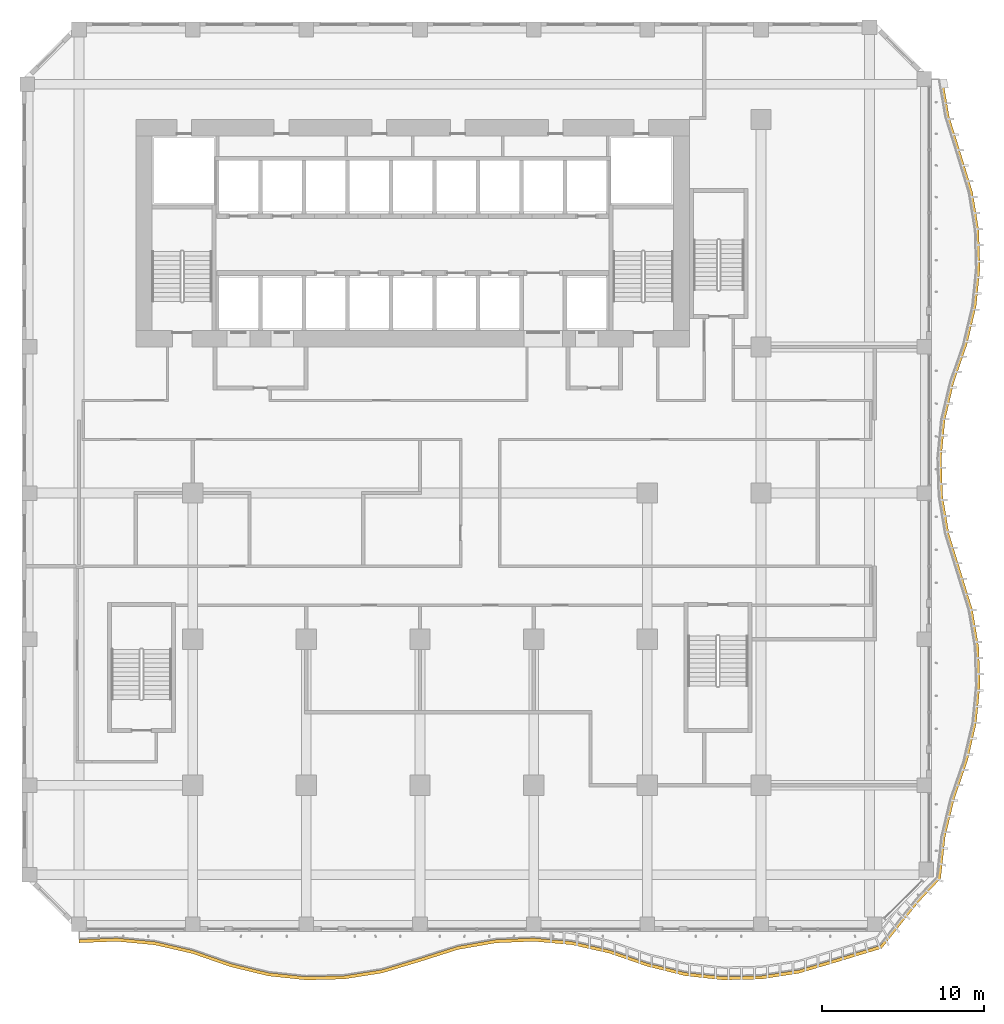
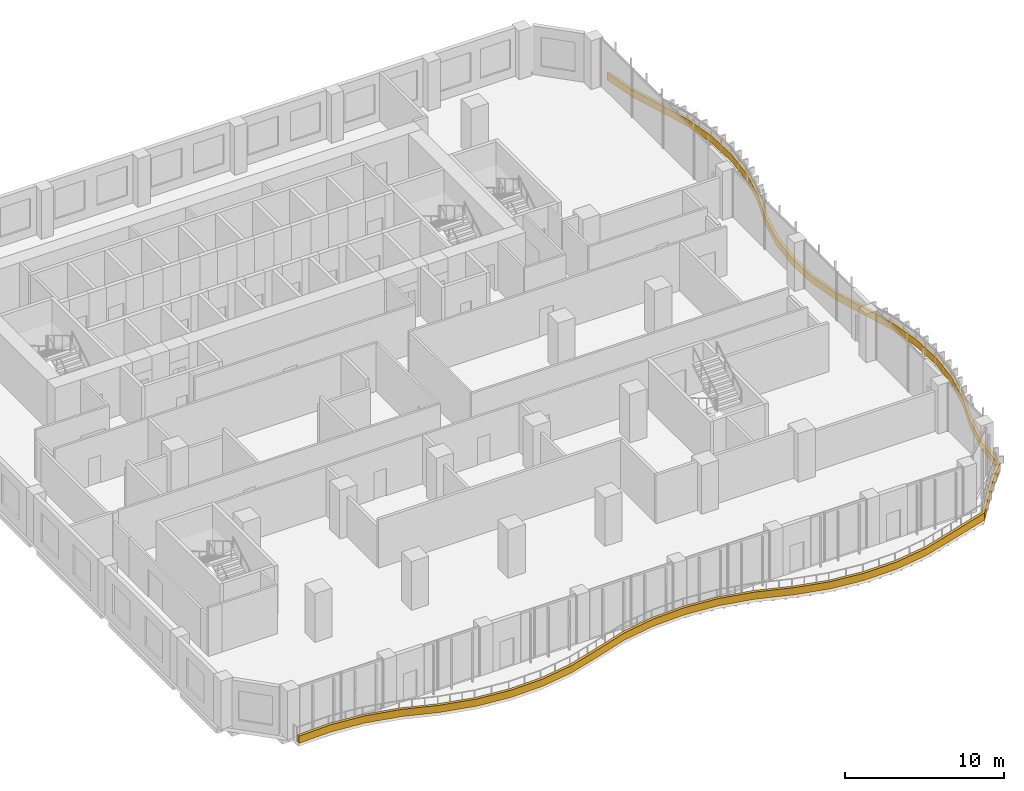
# One storey, part 19 of 25: 1 shading device.
"""IFC4 building model written with IfcOpenShell, lengths in metres."""

from ifc_helpers import new_model, si_unit, direction, frame, origin, place, context, subcontext, project, spatial, polyline, outline, extrude, source, transform, mapped, material, layer, layer_set, type_object, element, save


model = new_model("IFC4")

# Units and contexts
model_context = context("Model", 3, precision=1e-05, world=origin(), true_north=direction((0.0, 1.0)))
body_context = subcontext(model_context, "Body", "Model", "MODEL_VIEW")
ifc_project = project(units=[si_unit("LENGTHUNIT", "METRE"), si_unit("AREAUNIT", "SQUARE_METRE"), si_unit("VOLUMEUNIT", "CUBIC_METRE"), si_unit("PLANEANGLEUNIT", "RADIAN"), si_unit("MASSUNIT", "GRAM", prefix="KILO")], contexts=[model_context])

# Site, building, storey
site_placement = place(None, origin())
site = spatial("IfcSite", under=ifc_project, at=site_placement, CompositionType="ELEMENT")
building_placement = place(site_placement, origin())
building = spatial("IfcBuilding", under=site, at=building_placement, Name="Kilnfold Tower and Market Hall", CompositionType="ELEMENT")
storey_placement = place(building_placement, frame((0.0, 0.0, 67.199951171875)))
storey = spatial("IfcBuildingStorey", under=building, at=storey_placement, Name="L15", CompositionType="ELEMENT", Elevation=67.199951171875)

# Shading device
ifc_material = material(Name="Precast concrete C50/60", Category="concrete")
ifc_layer = layer(ifc_material, 0.550048828125)
ifc_layer_set = layer_set([ifc_layer], Name="Precast concrete C50/60")
shading_device_type = type_object("IfcShadingDeviceType", Name="BALCONY UPSTAND 550", PredefinedType="USERDEFINED", material=ifc_layer_set)
shared_shape = source(origin(), body_context, "Body", "SweptSolid", [
    extrude(outline(polyline([(-19.5, -28.69482421875), (-17.166748046875, -28.60693359375), (-14.833251953125, -28.825439453125), (-12.5, -29.362548828125), (-10.166748046875, -30.171875), (-7.833251953125, -30.7392578125), (-5.5, -30.986083984375), (-3.166748046875, -30.92578125), (-0.833251953125, -30.555419921875), (1.5, -29.85400390625), (3.833251953125, -29.111572265625), (6.166748046875, -28.702392578125), (8.5, -28.60498046875), (10.833251953125, -28.814208984375), (13.166748046875, -29.34130859375), (15.5, -30.1494140625), (17.833251953125, -30.726806640625), (20.166748046875, -30.98291015625), (22.5, -30.93212890625), (24.833251953125, -30.5712890625), (27.166748046875, -29.880615234375), (29.931884765625, -29.04296875), (31.232421875, -27.39892578125), (32.27783203125, -26.111328125), (33.564697265625, -24.73388671875), (33.848876953125, -22.166748046875), (34.406005859375, -19.833251953125), (35.216064453125, -17.5), (35.762939453125, -15.166748046875), (35.990966796875, -12.833251953125), (35.912353515625, -10.5), (35.5224609375, -8.166748046875), (34.800048828125, -5.833251953125), (34.077392578125, -3.5), (33.687744140625, -1.166748046875), (33.60888671875, 1.166748046875), (33.8369140625, 3.5), (34.384033203125, 5.833251953125), (35.194091796875, 8.166748046875), (35.751220703125, 10.5), (35.98876953125, 12.833251953125), (35.919189453125, 15.166748046875), (35.5390625, 17.5), (34.8271484375, 19.833251953125), (34.09423828125, 22.166748046875), (33.69482421875, 24.5), (33.494873046875, 24.5), (33.894287109375, 22.166748046875), (34.627197265625, 19.833251953125), (35.339111328125, 17.5), (35.71923828125, 15.166748046875), (35.788818359375, 12.833251953125), (35.55126953125, 10.5), (34.994140625, 8.166748046875), (34.18408203125, 5.833251953125), (33.636962890625, 3.5), (33.408935546875, 1.166748046875), (33.48779296875, -1.166748046875), (33.87744140625, -3.5), (34.60009765625, -5.833251953125), (35.322509765625, -8.166748046875), (35.71240234375, -10.5), (35.791015625, -12.833251953125), (35.56298828125, -15.166748046875), (35.01611328125, -17.5), (34.205810546875, -19.833251953125), (33.648681640625, -22.166748046875), (33.3798828125, -24.657470703125), (32.136474609375, -25.969970703125), (31.0908203125, -27.257568359375), (29.85546875, -28.858154296875), (27.166748046875, -29.680419921875), (24.833251953125, -30.371337890625), (22.5, -30.732177734375), (20.166748046875, -30.782958984375), (17.833251953125, -30.52685546875), (15.5, -29.949462890625), (13.166748046875, -29.141357421875), (10.833251953125, -28.6142578125), (8.5, -28.405029296875), (6.166748046875, -28.50244140625), (3.833251953125, -28.91162109375), (1.5, -29.654052734375), (-0.833251953125, -30.355224609375), (-3.166748046875, -30.725830078125), (-5.5, -30.785888671875), (-7.833251953125, -30.539306640625), (-10.166748046875, -29.971923828125), (-12.5, -29.16259765625), (-14.833251953125, -28.62548828125), (-17.166748046875, -28.406982421875), (-19.5, -28.494873046875), (-19.5, -28.69482421875)])), origin(), (0.0, 0.0, 1.0), 0.550048828125),
])
shading_device_placement = place(storey_placement, origin())
element("IfcShadingDevice", 1, at=shading_device_placement, inside=storey, type_object=shading_device_type, Name="Balcony fascia L15", ObjectType="FASCIA", PredefinedType="USERDEFINED", context=body_context, shape_type="MappedRepresentation", body=[
    mapped(shared_shape, transform((0.0, 0.0, 0.0))),
])

save(model, "model.ifc")
